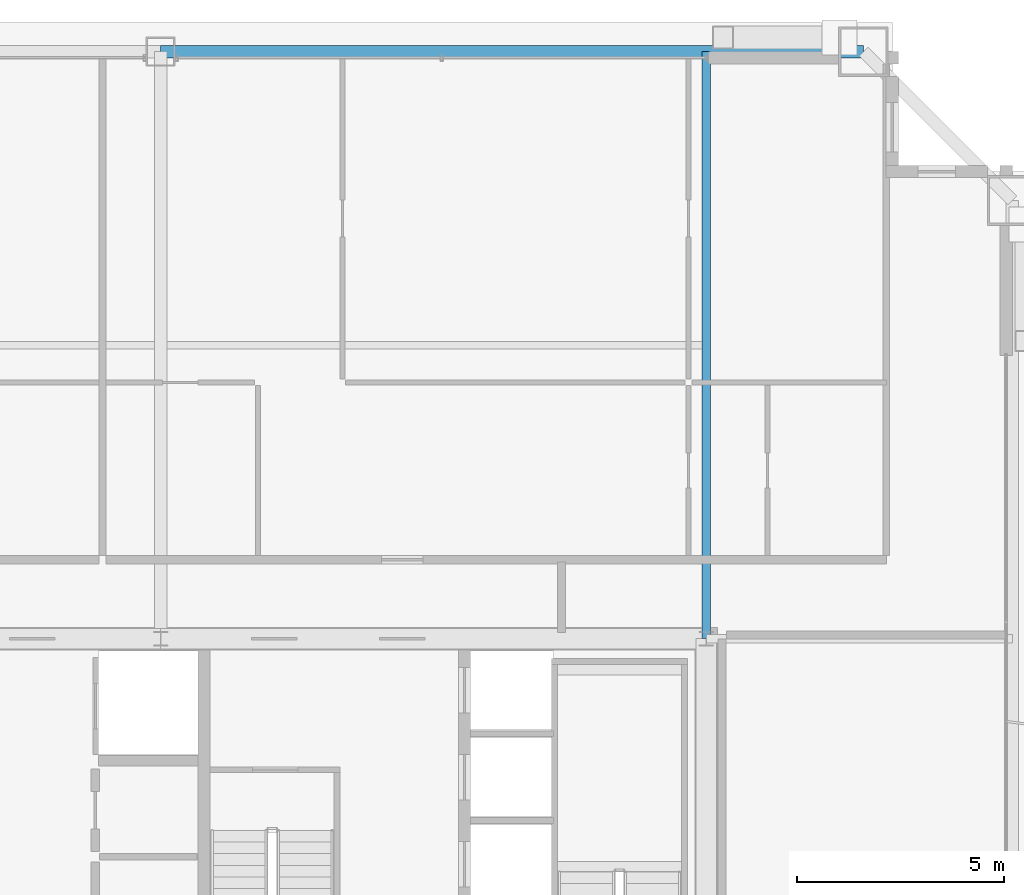
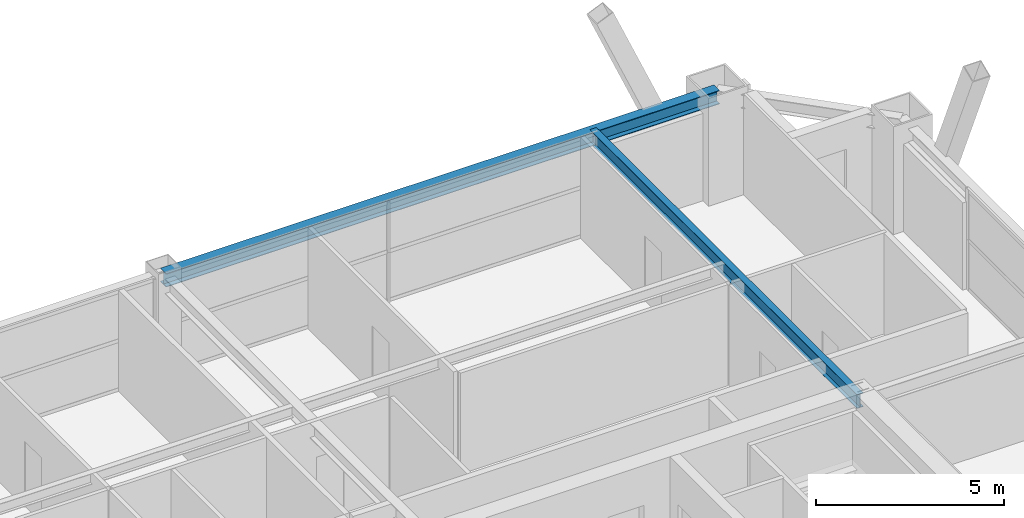
# One storey, part 29 of 37: 2 beams.
"""IFC4 building model written with IfcOpenShell, lengths in metres."""

from ifc_helpers import new_model, si_unit, direction, frame, origin, origin_2d, place, context, subcontext, project, spatial, i_section, extrude, source, transform, mapped, material, material_profile, profile_set, type_object, element, save


model = new_model("IFC4")

# Units and contexts
model_context = context("Model", 3, precision=1e-05, world=origin(), true_north=direction((0.0, 1.0)))
body_context = subcontext(model_context, "Body", "Model", "MODEL_VIEW")
ifc_project = project(units=[si_unit("LENGTHUNIT", "METRE"), si_unit("AREAUNIT", "SQUARE_METRE"), si_unit("VOLUMEUNIT", "CUBIC_METRE"), si_unit("PLANEANGLEUNIT", "RADIAN"), si_unit("MASSUNIT", "GRAM", prefix="KILO"), si_unit("THERMODYNAMICTEMPERATUREUNIT", "KELVIN"), si_unit("POWERUNIT", "WATT")], contexts=[model_context])

# Site, building, storey
site_placement = place(None, origin())
site = spatial("IfcSite", under=ifc_project, at=site_placement, CompositionType="ELEMENT")
building_placement = place(site_placement, origin())
building = spatial("IfcBuilding", under=site, at=building_placement, Name="Yuzanri Waterfront Tower", CompositionType="ELEMENT")
storey_placement = place(building_placement, frame((0.0, 0.0, 278.60009765625)))
storey = spatial("IfcBuildingStorey", under=building, at=storey_placement, Name="L74", CompositionType="ELEMENT", Elevation=278.60009765625)

# Beams
ifc_material_1 = material(Name="Steel Q355B", Category="steel")
ifc_material_profile_1 = material_profile(ifc_material_1, i_section(OverallWidth=0.300048828125, OverallDepth=0.43994140625, WebThickness=0.010986328125, FlangeThickness=0.01806640625, at=origin_2d()), Name="HM 440x300x11x18")
ifc_profile_set_1 = profile_set([ifc_material_profile_1], Name="Steel Q355B")
beam_type_1 = type_object("IfcBeamType", Name="Perimeter Spandrel Q355B HM 440x300", PredefinedType="SPANDREL", material=ifc_profile_set_1)
shared_shape_1 = source(origin(), body_context, "Body", "SweptSolid", [
    extrude(i_section(OverallWidth=0.300048828125, OverallDepth=0.43994140625, WebThickness=0.010986328125, FlangeThickness=0.01806640625, at=origin_2d()), origin(), (0.0, 0.0, 1.0), 17.0),
])
beam_1_placement = place(storey_placement, frame((54.0, 46.39990234375, 3.059814453125), z_axis=(-1.0, 0.0, 0.0), x_axis=(0.0, -1.0, 0.0)))
element("IfcBeam", 1, at=beam_1_placement, inside=storey, type_object=beam_type_1, Name="L74 Perimeter Spandrel N3-N2", PredefinedType="SPANDREL", context=body_context, shape_type="MappedRepresentation", body=[
    mapped(shared_shape_1, transform((0.0, 0.0, 0.0), scale=1.0)),
])
ifc_material_2 = material(Name="Steel Q355B", Category="steel")
ifc_material_profile_2 = material_profile(ifc_material_2, i_section(OverallWidth=0.199951171875, OverallDepth=0.449951171875, WebThickness=0.009033203125, FlangeThickness=0.013916015625, at=origin_2d()), Name="HN 450x200x9x14")
ifc_profile_set_2 = profile_set([ifc_material_profile_2], Name="Steel Q355B")
beam_type_2 = type_object("IfcBeamType", Name="Secondary Floor Beam Q355B HN 450x200", PredefinedType="BEAM", material=ifc_profile_set_2)
shared_shape_2 = source(origin(), body_context, "Body", "SweptSolid", [
    extrude(i_section(OverallWidth=0.199951171875, OverallDepth=0.449951171875, WebThickness=0.009033203125, FlangeThickness=0.013916015625, at=origin_2d()), origin(), (0.0, 0.0, 1.0), 14.199951171875),
])
beam_2_placement = place(storey_placement, frame((50.199951171875, 32.199951171875, 3.054931640625), z_axis=(0.0, 1.0, 0.0), x_axis=(-1.0, 0.0, 0.0)))
element("IfcBeam", 2, at=beam_2_placement, inside=storey, type_object=beam_type_2, Name="L74 North-East Core Line Beam", PredefinedType="BEAM", context=body_context, shape_type="MappedRepresentation", body=[
    mapped(shared_shape_2, transform((0.0, 0.0, 0.0), scale=1.0)),
])

save(model, "model.ifc")
